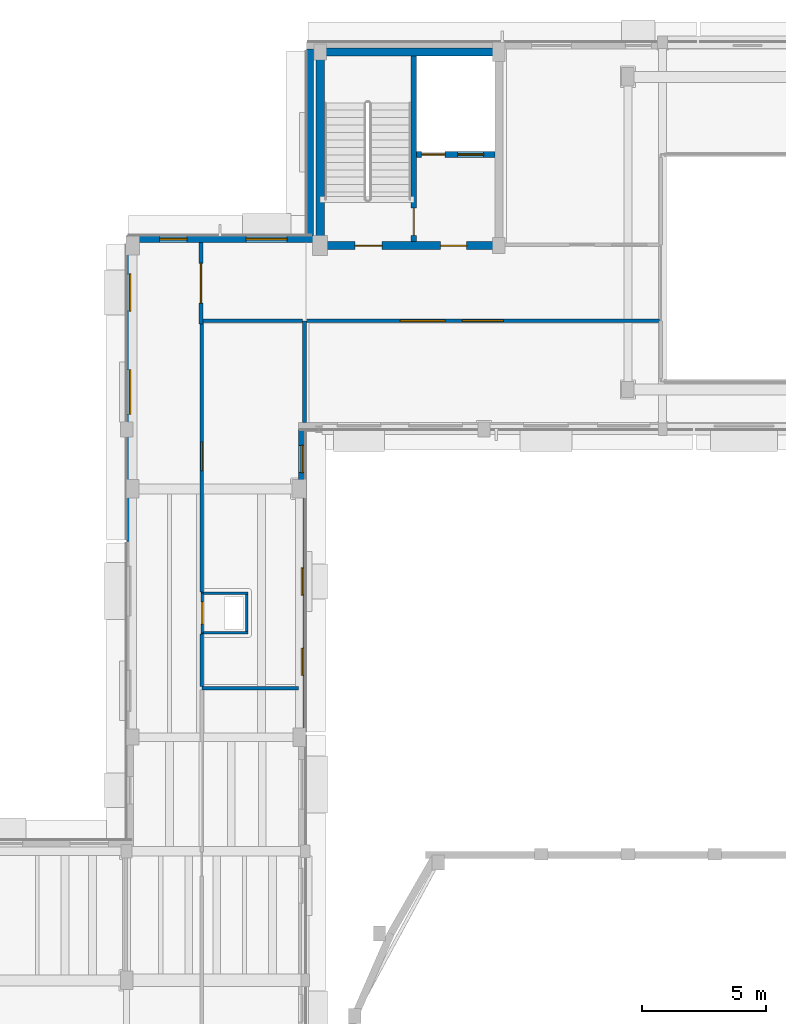
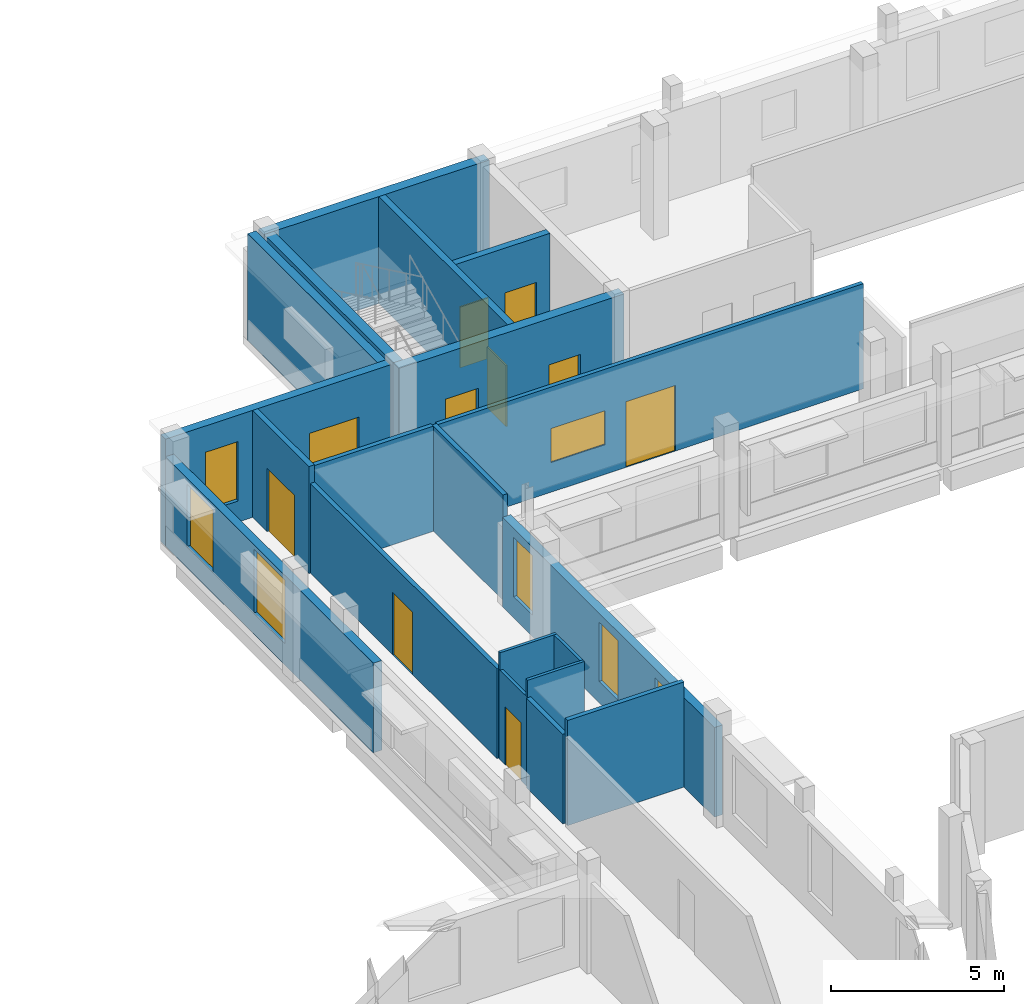
# One storey, part 73 of 89: 20 walls, 9 doors, 8 windows, 17 openings.
"""IFC4 building model written with IfcOpenShell, lengths in metres."""

from ifc_helpers import new_model, si_unit, direction, frame, frame_2d, origin, place, context, subcontext, project, spatial, rectangle, extrude, material, layer, layer_set, type_object, element, fill, save


model = new_model("IFC4")

# Units and contexts
model_context = context("Model", 3, precision=1e-05, world=origin(), true_north=direction((0.0, 1.0)))
body_context = subcontext(model_context, "Body", "Model", "MODEL_VIEW")
ifc_project = project(units=[si_unit("LENGTHUNIT", "METRE"), si_unit("AREAUNIT", "SQUARE_METRE"), si_unit("VOLUMEUNIT", "CUBIC_METRE"), si_unit("PLANEANGLEUNIT", "RADIAN"), si_unit("MASSUNIT", "GRAM", prefix="KILO")], contexts=[model_context])

# Site, building, storey
site_placement = place(None, origin())
site = spatial("IfcSite", under=ifc_project, at=site_placement, CompositionType="ELEMENT")
building_placement = place(site_placement, origin())
building = spatial("IfcBuilding", under=site, at=building_placement, Name="Kelanivale Promenade Academy", CompositionType="ELEMENT")
storey_placement = place(building_placement, frame((0.0, 0.0, 12.199951171875)))
storey = spatial("IfcBuildingStorey", under=building, at=storey_placement, Name="L03", CompositionType="ELEMENT", Elevation=12.199951171875)

# Wall, openings, doors
ifc_material_1 = material(Name="Concrete C40/50", Category="concrete")
ifc_layer_1 = layer(ifc_material_1, 0.330078125)
ifc_layer_set_1 = layer_set([ifc_layer_1], Name="Concrete C40/50")
wall_type_1 = type_object("IfcWallType", Name="CW-S1 Wall 330mm", PredefinedType="SHEAR", material=ifc_layer_set_1)
wall_1_placement = place(storey_placement, frame((123.235107421875, 103.800048828125, 0.0), z_axis=(0.0, 0.0, 1.0), x_axis=(1.0, 0.0, 0.0)))
wall_1 = element("IfcWall", 1, at=wall_1_placement, inside=storey, type_object=wall_type_1, Name="CORE-5 RC shear wall S L03", PredefinedType="SHEAR", context=body_context, shape_type="SweptSolid", body=[
    extrude(rectangle(XDim=7.52978515625, YDim=0.330078125, at=frame_2d((3.764892578125, 0.0))), origin(), (0.0, 0.0, 1.0), 3.780029296875),
])
opening_1_placement = place(wall_1_placement, frame((5.014892578125, 0.0, 0.0)))
opening_1 = element("IfcOpeningElement", 2, at=opening_1_placement, cuts=wall_1, Name="Opening FD-CORE-5-LB-L03", PredefinedType="OPENING", context=body_context, shape_type="SweptSolid", body=[
    extrude(rectangle(XDim=1.050048828125, YDim=2.14990234375, at=frame_2d((0.52490234375, 1.074951171875))), frame((0.0, 0.175048828125, 0.0), z_axis=(0.0, -1.0, 0.0), x_axis=(1.0, 0.0, 0.0)), (0.0, 0.0, 1.0), 0.35009765625),
])
opening_2_placement = place(wall_1_placement, frame((1.56494140625, 0.0, 0.0)))
opening_2 = element("IfcOpeningElement", 3, at=opening_2_placement, cuts=wall_1, Name="Opening FD-CORE-5-ST-L03", PredefinedType="OPENING", context=body_context, shape_type="SweptSolid", body=[
    extrude(rectangle(XDim=1.10009765625, YDim=2.14990234375, at=frame_2d((0.550048828125, 1.074951171875))), frame((0.0, 0.175048828125, 0.0), z_axis=(0.0, -1.0, 0.0), x_axis=(1.0, 0.0, 0.0)), (0.0, 0.0, 1.0), 0.35009765625),
])
ifc_material_2 = material(Name="Fire-rated steel-core teak veneer", Category="steel")
door_type_1 = type_object("IfcDoorType", Name="DT-F01 Door 1100x2150", OperationType="NOTDEFINED", PredefinedType="DOOR", material=ifc_material_2)
door_1_placement = place(opening_2_placement, frame((1.10009765625, 0.0, 0.0), z_axis=(0.0, 0.0, 1.0), x_axis=(-1.0, 0.0, 0.0)))
door_1 = element("IfcDoor", 4, at=door_1_placement, inside=storey, type_object=door_type_1, Name="CORE-5 protected stair fire door L03", OperationType="SINGLE_SWING_LEFT", OverallHeight=2.14990234375, OverallWidth=1.10009765625, PredefinedType="DOOR", context=body_context, shape_type="SweptSolid", body=[
    extrude(rectangle(XDim=1.10009765625, YDim=2.14990234375, at=frame_2d((0.550048828125, 1.074951171875))), frame((0.0, 0.02490234375, 0.0), z_axis=(0.0, -1.0, 0.0), x_axis=(1.0, 0.0, 0.0)), (0.0, 0.0, 1.0), 0.050048828125),
])
fill(opening_2, door_1)
door_type_2 = type_object("IfcDoorType", Name="DT-F03 Door 1050x2150", OperationType="NOTDEFINED", PredefinedType="DOOR", material=ifc_material_2)
door_2_placement = place(opening_1_placement, origin())
door_2 = element("IfcDoor", 5, at=door_2_placement, inside=storey, type_object=door_type_2, Name="CORE-5 corridor-to-lobby fire door L03", OperationType="SINGLE_SWING_RIGHT", OverallHeight=2.14990234375, OverallWidth=1.050048828125, PredefinedType="DOOR", context=body_context, shape_type="SweptSolid", body=[
    extrude(rectangle(XDim=1.050048828125, YDim=2.14990234375, at=frame_2d((0.52490234375, 1.074951171875))), frame((0.0, 0.02490234375, 0.0), z_axis=(0.0, -1.0, 0.0), x_axis=(1.0, 0.0, 0.0)), (0.0, 0.0, 1.0), 0.050048828125),
])
fill(opening_1, door_2)

# Walls
wall_2_placement = place(storey_placement, frame((123.235107421875, 111.60009765625, 0.0), z_axis=(0.0, 0.0, 1.0), x_axis=(1.0, 0.0, 0.0)))
element("IfcWall", 6, at=wall_2_placement, inside=storey, type_object=wall_type_1, Name="CORE-5 RC shear wall N L03", PredefinedType="SHEAR", context=body_context, shape_type="SweptSolid", body=[
    extrude(rectangle(XDim=7.52978515625, YDim=0.330078125, at=frame_2d((3.764892578125, 0.0))), origin(), (0.0, 0.0, 1.0), 3.780029296875),
])
wall_3_placement = place(storey_placement, frame((123.39990234375, 103.965087890625, 0.0), z_axis=(0.0, 0.0, 1.0), x_axis=(0.0, 1.0, 0.0)))
element("IfcWall", 7, at=wall_3_placement, inside=storey, type_object=wall_type_1, Name="CORE-5 RC shear wall W L03", PredefinedType="SHEAR", context=body_context, shape_type="SweptSolid", body=[
    extrude(rectangle(XDim=7.469970703125, YDim=0.330078125, at=frame_2d((3.73486328125, 0.0))), origin(), (0.0, 0.0, 1.0), 3.780029296875),
])

# Wall, openings, doors
ifc_layer_2 = layer(ifc_material_1, 0.22509765625)
ifc_layer_set_2 = layer_set([ifc_layer_2], Name="Concrete C40/50")
wall_type_2 = type_object("IfcWallType", Name="CW-S2 Wall 225mm", PredefinedType="SHEAR", material=ifc_layer_set_2)
wall_4_placement = place(storey_placement, frame((127.284912109375, 107.469970703125, 0.0), z_axis=(0.0, 0.0, 1.0), x_axis=(1.0, 0.0, 0.0)))
wall_4 = element("IfcWall", 8, at=wall_4_placement, inside=storey, type_object=wall_type_2, Name="CORE-5 lift shaft front RC wall L03", PredefinedType="SHEAR", context=body_context, shape_type="SweptSolid", body=[
    extrude(rectangle(XDim=3.150146484375, YDim=0.22509765625, at=frame_2d((1.5751953125, 0.0))), origin(), (0.0, 0.0, 1.0), 3.780029296875),
])
opening_3_placement = place(wall_4_placement, frame((0.199951171875, 0.0, 0.0)))
opening_3 = element("IfcOpeningElement", 9, at=opening_3_placement, cuts=wall_4, Name="Opening LD-LF-FF4-L03", PredefinedType="OPENING", context=body_context, shape_type="SweptSolid", body=[
    extrude(rectangle(XDim=0.949951171875, YDim=2.14990234375, at=frame_2d((0.47509765625, 1.074951171875))), frame((0.0, 0.12255859375, 0.0), z_axis=(0.0, -1.0, 0.0), x_axis=(1.0, 0.0, 0.0)), (0.0, 0.0, 1.0), 0.2451171875),
])
opening_4_placement = place(wall_4_placement, frame((1.64990234375, 0.0, 0.0)))
opening_4 = element("IfcOpeningElement", 10, at=opening_4_placement, cuts=wall_4, Name="Opening LD-LF-P3-L03", PredefinedType="OPENING", context=body_context, shape_type="SweptSolid", body=[
    extrude(rectangle(XDim=1.050048828125, YDim=2.199951171875, at=frame_2d((0.52490234375, 1.10009765625))), frame((0.0, 0.12255859375, 0.0), z_axis=(0.0, -1.0, 0.0), x_axis=(1.0, 0.0, 0.0)), (0.0, 0.0, 1.0), 0.2451171875),
])
door_type_3 = type_object("IfcDoorType", Name="LD-FF1 Door 950x2150", OperationType="NOTDEFINED", PredefinedType="DOOR", material=ifc_material_2)
door_3_placement = place(opening_3_placement, origin())
door_3 = element("IfcDoor", 11, at=door_3_placement, inside=storey, type_object=door_type_3, Name="Firefighting lift landing door LD-LF-FF4-L03", OperationType="SLIDING_TO_LEFT", OverallHeight=2.14990234375, OverallWidth=0.949951171875, PredefinedType="DOOR", context=body_context, shape_type="SweptSolid", body=[
    extrude(rectangle(XDim=0.949951171875, YDim=2.14990234375, at=frame_2d((0.47509765625, 1.074951171875))), frame((0.0, 0.02490234375, 0.0), z_axis=(0.0, -1.0, 0.0), x_axis=(1.0, 0.0, 0.0)), (0.0, 0.0, 1.0), 0.050048828125),
])
fill(opening_3, door_3)
door_type_4 = type_object("IfcDoorType", Name="LD-PL1 Door 1050x2200", OperationType="NOTDEFINED", PredefinedType="DOOR", material=ifc_material_2)
door_4_placement = place(opening_4_placement, origin())
door_4 = element("IfcDoor", 12, at=door_4_placement, inside=storey, type_object=door_type_4, Name="Passenger lift landing door LD-LF-P3-L03", OperationType="SLIDING_TO_RIGHT", OverallHeight=2.199951171875, OverallWidth=1.050048828125, PredefinedType="DOOR", context=body_context, shape_type="SweptSolid", body=[
    extrude(rectangle(XDim=1.050048828125, YDim=2.199951171875, at=frame_2d((0.52490234375, 1.10009765625))), frame((0.0, 0.02490234375, 0.0), z_axis=(0.0, -1.0, 0.0), x_axis=(1.0, 0.0, 0.0)), (0.0, 0.0, 1.0), 0.050048828125),
])
fill(opening_4, door_4)

# Wall, opening, door
ifc_layer_3 = layer(ifc_material_1, 0.219970703125)
ifc_layer_set_3 = layer_set([ifc_layer_3], Name="Concrete C40/50")
wall_type_3 = type_object("IfcWallType", Name="CW-S3 Wall 220mm", PredefinedType="SHEAR", material=ifc_layer_set_3)
wall_5_placement = place(storey_placement, frame((127.175048828125, 103.965087890625, 0.0), z_axis=(0.0, 0.0, 1.0), x_axis=(0.0, 1.0, 0.0)))
wall_5 = element("IfcWall", 13, at=wall_5_placement, inside=storey, type_object=wall_type_3, Name="CORE-5 stair-lobby dividing RC wall L03", PredefinedType="SHEAR", context=body_context, shape_type="SweptSolid", body=[
    extrude(rectangle(XDim=7.469970703125, YDim=0.219970703125, at=frame_2d((3.73486328125, 0.0))), origin(), (0.0, 0.0, 1.0), 3.780029296875),
])
opening_5_placement = place(wall_5_placement, frame((0.25, 0.0, 0.0)))
opening_5 = element("IfcOpeningElement", 14, at=opening_5_placement, cuts=wall_5, Name="Opening FD-CORE-5-SL-L03", PredefinedType="OPENING", context=body_context, shape_type="SweptSolid", body=[
    extrude(rectangle(XDim=1.10009765625, YDim=2.14990234375, at=frame_2d((0.550048828125, 1.074951171875))), frame((0.0, 0.1201171875, 0.0), z_axis=(0.0, -1.0, 0.0), x_axis=(1.0, 0.0, 0.0)), (0.0, 0.0, 1.0), 0.239990234375),
])
door_5_placement = place(opening_5_placement, origin())
door_5 = element("IfcDoor", 15, at=door_5_placement, inside=storey, type_object=door_type_1, Name="CORE-5 lobby-to-stair fire door L03", OperationType="SINGLE_SWING_LEFT", OverallHeight=2.14990234375, OverallWidth=1.10009765625, PredefinedType="DOOR", context=body_context, shape_type="SweptSolid", body=[
    extrude(rectangle(XDim=1.10009765625, YDim=2.14990234375, at=frame_2d((0.550048828125, 1.074951171875))), frame((0.0, 0.02490234375, 0.0), z_axis=(0.0, -1.0, 0.0), x_axis=(1.0, 0.0, 0.0)), (0.0, 0.0, 1.0), 0.050048828125),
])
fill(opening_5, door_5)

# Wall, openings, windows
ifc_material_3 = material(Name="Insulated ivory stucco masonry wall 280 mm", Category="masonry")
ifc_layer_4 = layer(ifc_material_3, 0.280029296875)
ifc_layer_set_4 = layer_set([ifc_layer_4], Name="Insulated ivory stucco masonry wall 280 mm")
wall_type_4 = type_object("IfcWallType", Name="EW-02 Wall 280mm", PredefinedType="SOLIDWALL", material=ifc_layer_set_4)
wall_6_placement = place(storey_placement, frame((122.659912109375, 84.139892578125, 0.0), z_axis=(0.0, 0.0, 1.0), x_axis=(0.0, 1.0, 0.0)))
wall_6 = element("IfcWall", 16, at=wall_6_placement, inside=storey, type_object=wall_type_4, Name="L03 exterior facade wall EW-L03-ORT-0474", PredefinedType="SOLIDWALL", context=body_context, shape_type="SweptSolid", body=[
    extrude(rectangle(XDim=12.260009765625, YDim=0.280029296875, at=frame_2d((6.1298828125, 0.0))), origin(), (0.0, 0.0, 1.0), 3.1650390625),
])
opening_6_placement = place(wall_6_placement, frame((2.343017578125, 0.0, 0.75)))
opening_6 = element("IfcOpeningElement", 17, at=opening_6_placement, cuts=wall_6, Name="Opening WT-17", PredefinedType="OPENING", context=body_context, shape_type="SweptSolid", body=[
    extrude(rectangle(XDim=1.10009765625, YDim=2.10009765625, at=frame_2d((0.550048828125, 1.050048828125))), frame((0.0, 0.14990234375, 0.0), z_axis=(0.0, -1.0, 0.0), x_axis=(1.0, 0.0, 0.0)), (0.0, 0.0, 1.0), 0.300048828125),
])
opening_7_placement = place(wall_6_placement, frame((5.580078125, 0.0, 0.75)))
opening_7 = element("IfcOpeningElement", 18, at=opening_7_placement, cuts=wall_6, Name="Opening WT-17", PredefinedType="OPENING", context=body_context, shape_type="SweptSolid", body=[
    extrude(rectangle(XDim=1.10009765625, YDim=2.10009765625, at=frame_2d((0.550048828125, 1.050048828125))), frame((0.0, 0.14990234375, 0.0), z_axis=(0.0, -1.0, 0.0), x_axis=(1.0, 0.0, 0.0)), (0.0, 0.0, 1.0), 0.300048828125),
])
opening_8_placement = place(wall_6_placement, frame((10.51708984375, 0.0, 0.75)))
opening_8 = element("IfcOpeningElement", 19, at=opening_8_placement, cuts=wall_6, Name="Opening WT-17", PredefinedType="OPENING", context=body_context, shape_type="SweptSolid", body=[
    extrude(rectangle(XDim=1.10009765625, YDim=2.10009765625, at=frame_2d((0.550048828125, 1.050048828125))), frame((0.0, 0.14990234375, 0.0), z_axis=(0.0, -1.0, 0.0), x_axis=(1.0, 0.0, 0.0)), (0.0, 0.0, 1.0), 0.300048828125),
])
ifc_material_4 = material(Name="Bronze anodised aluminium frame with low-E laminated glass", Category="aluminium")
window_type_1 = type_object("IfcWindowType", Name="WT-17 Window 1100x2100", PartitioningType="SINGLE_PANEL", PredefinedType="WINDOW", material=ifc_material_4)
window_1_placement = place(opening_6_placement, origin())
window_1 = element("IfcWindow", 20, at=window_1_placement, inside=storey, type_object=window_type_1, Name="Window WT-17", OverallHeight=2.10009765625, OverallWidth=1.10009765625, PartitioningType="SINGLE_PANEL", PredefinedType="WINDOW", context=body_context, shape_type="SweptSolid", body=[
    extrude(rectangle(XDim=1.10009765625, YDim=2.10009765625, at=frame_2d((0.550048828125, 1.050048828125))), frame((0.0, 0.030029296875, 0.0), z_axis=(0.0, -1.0, 0.0), x_axis=(1.0, 0.0, 0.0)), (0.0, 0.0, 1.0), 0.06005859375),
])
fill(opening_6, window_1)
window_2_placement = place(opening_7_placement, origin())
window_2 = element("IfcWindow", 21, at=window_2_placement, inside=storey, type_object=window_type_1, Name="Window WT-17", OverallHeight=2.10009765625, OverallWidth=1.10009765625, PartitioningType="SINGLE_PANEL", PredefinedType="WINDOW", context=body_context, shape_type="SweptSolid", body=[
    extrude(rectangle(XDim=1.10009765625, YDim=2.10009765625, at=frame_2d((0.550048828125, 1.050048828125))), frame((0.0, 0.030029296875, 0.0), z_axis=(0.0, -1.0, 0.0), x_axis=(1.0, 0.0, 0.0)), (0.0, 0.0, 1.0), 0.06005859375),
])
fill(opening_7, window_2)
window_3_placement = place(opening_8_placement, origin())
window_3 = element("IfcWindow", 22, at=window_3_placement, inside=storey, type_object=window_type_1, Name="Window WT-17", OverallHeight=2.10009765625, OverallWidth=1.10009765625, PartitioningType="SINGLE_PANEL", PredefinedType="WINDOW", context=body_context, shape_type="SweptSolid", body=[
    extrude(rectangle(XDim=1.10009765625, YDim=2.10009765625, at=frame_2d((0.550048828125, 1.050048828125))), frame((0.0, 0.030029296875, 0.0), z_axis=(0.0, -1.0, 0.0), x_axis=(1.0, 0.0, 0.0)), (0.0, 0.0, 1.0), 0.06005859375),
])
fill(opening_8, window_3)

# Wall
wall_7_placement = place(storey_placement, frame((122.989990234375, 111.719970703125, 0.0), z_axis=(0.0, 0.0, 1.0), x_axis=(0.0, -1.0, 0.0)))
element("IfcWall", 23, at=wall_7_placement, inside=storey, type_object=wall_type_4, Name="L03 exterior facade wall EW-L03-ORT-0482", PredefinedType="SOLIDWALL", context=body_context, shape_type="SweptSolid", body=[
    extrude(rectangle(XDim=7.52001953125, YDim=0.280029296875, at=frame_2d((3.760009765625, 0.0))), origin(), (0.0, 0.0, 1.0), 3.780029296875),
])

# Wall, openings, windows
wall_8_placement = place(storey_placement, frame((123.1298828125, 104.06005859375, 0.0), z_axis=(0.0, 0.0, 1.0), x_axis=(-1.0, 0.0, 0.0)))
wall_8 = element("IfcWall", 24, at=wall_8_placement, inside=storey, type_object=wall_type_4, Name="L03 exterior facade wall EW-L03-ORT-0483", PredefinedType="SOLIDWALL", context=body_context, shape_type="SweptSolid", body=[
    extrude(rectangle(XDim=7.52978515625, YDim=0.280029296875, at=frame_2d((3.764892578125, 0.0))), origin(), (0.0, 0.0, 1.0), 3.780029296875),
])
opening_9_placement = place(wall_8_placement, frame((1.05810546875, 0.0, 1.050048828125)))
opening_9 = element("IfcOpeningElement", 25, at=opening_9_placement, cuts=wall_8, Name="Opening WT-35", PredefinedType="OPENING", context=body_context, shape_type="SweptSolid", body=[
    extrude(rectangle(XDim=1.64990234375, YDim=1.25, at=frame_2d((0.824951171875, 0.625))), frame((0.0, 0.14990234375, 0.0), z_axis=(0.0, -1.0, 0.0), x_axis=(1.0, 0.0, 0.0)), (0.0, 0.0, 1.0), 0.300048828125),
])
opening_10_placement = place(wall_8_placement, frame((5.097900390625, 0.0, 0.75)))
opening_10 = element("IfcOpeningElement", 26, at=opening_10_placement, cuts=wall_8, Name="Opening WT-17", PredefinedType="OPENING", context=body_context, shape_type="SweptSolid", body=[
    extrude(rectangle(XDim=1.10009765625, YDim=2.10009765625, at=frame_2d((0.550048828125, 1.050048828125))), frame((0.0, 0.14990234375, 0.0), z_axis=(0.0, -1.0, 0.0), x_axis=(1.0, 0.0, 0.0)), (0.0, 0.0, 1.0), 0.300048828125),
])
window_4_placement = place(opening_10_placement, origin())
window_4 = element("IfcWindow", 27, at=window_4_placement, inside=storey, type_object=window_type_1, Name="Window WT-17", OverallHeight=2.10009765625, OverallWidth=1.10009765625, PartitioningType="SINGLE_PANEL", PredefinedType="WINDOW", context=body_context, shape_type="SweptSolid", body=[
    extrude(rectangle(XDim=1.10009765625, YDim=2.10009765625, at=frame_2d((0.550048828125, 1.050048828125))), frame((0.0, 0.030029296875, 0.0), z_axis=(0.0, -1.0, 0.0), x_axis=(1.0, 0.0, 0.0)), (0.0, 0.0, 1.0), 0.06005859375),
])
fill(opening_10, window_4)
window_type_2 = type_object("IfcWindowType", Name="WT-35 Window 1650x1250", PartitioningType="SINGLE_PANEL", PredefinedType="WINDOW", material=ifc_material_4)
window_5_placement = place(opening_9_placement, origin())
window_5 = element("IfcWindow", 28, at=window_5_placement, inside=storey, type_object=window_type_2, Name="Window WT-35", OverallHeight=1.25, OverallWidth=1.64990234375, PartitioningType="SINGLE_PANEL", PredefinedType="WINDOW", context=body_context, shape_type="SweptSolid", body=[
    extrude(rectangle(XDim=1.64990234375, YDim=1.25, at=frame_2d((0.824951171875, 0.625))), frame((0.0, 0.030029296875, 0.0), z_axis=(0.0, -1.0, 0.0), x_axis=(1.0, 0.0, 0.0)), (0.0, 0.0, 1.0), 0.06005859375),
])
fill(opening_9, window_5)

wall_9_placement = place(storey_placement, frame((115.739990234375, 103.919921875, 0.0), z_axis=(0.0, 0.0, 1.0), x_axis=(0.0, -1.0, 0.0)))
wall_9 = element("IfcWall", 29, at=wall_9_placement, inside=storey, type_object=wall_type_4, Name="L03 exterior facade wall EW-L03-ORT-0484", PredefinedType="SOLIDWALL", context=body_context, shape_type="SweptSolid", body=[
    extrude(rectangle(XDim=12.034912109375, YDim=0.280029296875, at=frame_2d((6.017578125, 0.0))), origin(), (0.0, 0.0, 1.0), 3.1650390625),
])
opening_11_placement = place(wall_9_placement, frame((1.256103515625, 0.0, 0.75)))
opening_11 = element("IfcOpeningElement", 30, at=opening_11_placement, cuts=wall_9, Name="Opening WT-11", PredefinedType="OPENING", context=body_context, shape_type="SweptSolid", body=[
    extrude(rectangle(XDim=1.5, YDim=2.199951171875, at=frame_2d((0.75, 1.10009765625))), frame((0.0, 0.14990234375, 0.0), z_axis=(0.0, -1.0, 0.0), x_axis=(1.0, 0.0, 0.0)), (0.0, 0.0, 1.0), 0.300048828125),
])
opening_12_placement = place(wall_9_placement, frame((5.116943359375, 0.0, 0.75)))
opening_12 = element("IfcOpeningElement", 31, at=opening_12_placement, cuts=wall_9, Name="Opening WT-12", PredefinedType="OPENING", context=body_context, shape_type="SweptSolid", body=[
    extrude(rectangle(XDim=1.800048828125, YDim=2.25, at=frame_2d((0.89990234375, 1.125))), frame((0.0, 0.14990234375, 0.0), z_axis=(0.0, -1.0, 0.0), x_axis=(1.0, 0.0, 0.0)), (0.0, 0.0, 1.0), 0.300048828125),
])
window_type_3 = type_object("IfcWindowType", Name="WT-11 Window 1500x2200", PartitioningType="SINGLE_PANEL", PredefinedType="WINDOW", material=ifc_material_4)
window_6_placement = place(opening_11_placement, origin())
window_6 = element("IfcWindow", 32, at=window_6_placement, inside=storey, type_object=window_type_3, Name="Window WT-11", OverallHeight=2.199951171875, OverallWidth=1.5, PartitioningType="SINGLE_PANEL", PredefinedType="WINDOW", context=body_context, shape_type="SweptSolid", body=[
    extrude(rectangle(XDim=1.5, YDim=2.199951171875, at=frame_2d((0.75, 1.10009765625))), frame((0.0, 0.030029296875, 0.0), z_axis=(0.0, -1.0, 0.0), x_axis=(1.0, 0.0, 0.0)), (0.0, 0.0, 1.0), 0.06005859375),
])
fill(opening_11, window_6)
window_type_4 = type_object("IfcWindowType", Name="WT-12 Window 1800x2250", PartitioningType="SINGLE_PANEL", PredefinedType="WINDOW", material=ifc_material_4)
window_7_placement = place(opening_12_placement, origin())
window_7 = element("IfcWindow", 33, at=window_7_placement, inside=storey, type_object=window_type_4, Name="Window WT-12", OverallHeight=2.25, OverallWidth=1.800048828125, PartitioningType="SINGLE_PANEL", PredefinedType="WINDOW", context=body_context, shape_type="SweptSolid", body=[
    extrude(rectangle(XDim=1.800048828125, YDim=2.25, at=frame_2d((0.89990234375, 1.125))), frame((0.0, 0.030029296875, 0.0), z_axis=(0.0, -1.0, 0.0), x_axis=(1.0, 0.0, 0.0)), (0.0, 0.0, 1.0), 0.06005859375),
])
fill(opening_12, window_7)

# Wall, opening, door
ifc_material_5 = material(Name="Autoclaved masonry blockwork 180 mm", Category="masonry")
ifc_layer_5 = layer(ifc_material_5, 0.179931640625)
ifc_layer_set_5 = layer_set([ifc_layer_5], Name="Autoclaved masonry blockwork 180 mm")
wall_type_5 = type_object("IfcWallType", Name="IW-02 Wall 180mm", PredefinedType="PARTITIONING", material=ifc_layer_set_5)
wall_10_placement = place(storey_placement, frame((118.60009765625, 100.64990234375, 0.0), z_axis=(0.0, 0.0, 1.0), x_axis=(0.0, 1.0, 0.0)))
wall_10 = element("IfcWall", 34, at=wall_10_placement, inside=storey, type_object=wall_type_5, Name="L03 cross-corridor fire wall", PredefinedType="PARTITIONING", context=body_context, shape_type="SweptSolid", body=[
    extrude(rectangle(XDim=3.272216796875, YDim=0.179931640625, at=frame_2d((1.63623046875, 0.0))), origin(), (0.0, 0.0, 1.0), 3.780029296875),
])
opening_13_placement = place(wall_10_placement, frame((0.8359375, 0.0, 0.0)))
opening_13 = element("IfcOpeningElement", 35, at=opening_13_placement, cuts=wall_10, Name="Opening FD-L03-CC-148", PredefinedType="OPENING", context=body_context, shape_type="SweptSolid", body=[
    extrude(rectangle(XDim=1.60009765625, YDim=2.25, at=frame_2d((0.800048828125, 1.125))), frame((0.0, 0.10009765625, 0.0), z_axis=(0.0, -1.0, 0.0), x_axis=(1.0, 0.0, 0.0)), (0.0, 0.0, 1.0), 0.199951171875),
])
door_type_5 = type_object("IfcDoorType", Name="DT-F09 Door 1600x2250", OperationType="NOTDEFINED", PredefinedType="DOOR", material=ifc_material_2)
door_6_placement = place(opening_13_placement, origin())
door_6 = element("IfcDoor", 36, at=door_6_placement, inside=storey, type_object=door_type_5, Name="L03 cross-corridor fire door FD-L03-CC-148", OperationType="DOUBLE_DOOR_SINGLE_SWING", OverallHeight=2.25, OverallWidth=1.60009765625, PredefinedType="DOOR", context=body_context, shape_type="SweptSolid", body=[
    extrude(rectangle(XDim=1.60009765625, YDim=2.25, at=frame_2d((0.800048828125, 1.125))), frame((0.0, 0.02490234375, 0.0), z_axis=(0.0, -1.0, 0.0), x_axis=(1.0, 0.0, 0.0)), (0.0, 0.0, 1.0), 0.050048828125),
])
fill(opening_13, door_6)

# Walls
ifc_material_6 = material(Name="Acoustic gypsum-lined masonry partition 150 mm", Category="masonry")
ifc_layer_6 = layer(ifc_material_6, 0.14990234375)
ifc_layer_set_6 = layer_set([ifc_layer_6], Name="Acoustic gypsum-lined masonry partition 150 mm")
wall_type_6 = type_object("IfcWallType", Name="IW-03 Wall 150mm", PredefinedType="PARTITIONING", material=ifc_layer_set_6)
wall_11_placement = place(storey_placement, frame((122.52197265625, 85.969970703125, 0.0), z_axis=(0.0, 0.0, 1.0), x_axis=(-1.0, 0.0, 0.0)))
element("IfcWall", 37, at=wall_11_placement, inside=storey, type_object=wall_type_6, Name="L03 partition Specimen Prep Room", PredefinedType="PARTITIONING", context=body_context, shape_type="SweptSolid", body=[
    extrude(rectangle(XDim=3.89208984375, YDim=0.14990234375, at=frame_2d((1.946044921875, 0.0))), origin(), (0.0, 0.0, 1.0), 3.715087890625),
])
wall_12_placement = place(storey_placement, frame((122.77001953125, 96.677978515625, 0.0), z_axis=(0.0, 0.0, 1.0), x_axis=(0.0, 1.0, 0.0)))
element("IfcWall", 38, at=wall_12_placement, inside=storey, type_object=wall_type_6, Name="L03 partition Laboratory Instrument Studio", PredefinedType="PARTITIONING", context=body_context, shape_type="SweptSolid", body=[
    extrude(rectangle(XDim=4.092041015625, YDim=0.14990234375, at=frame_2d((2.0458984375, 0.0))), origin(), (0.0, 0.0, 1.0), 3.715087890625),
])
wall_13_placement = place(storey_placement, frame((122.697021484375, 100.77001953125, 0.0), z_axis=(0.0, 0.0, 1.0), x_axis=(-1.0, 0.0, 0.0)))
element("IfcWall", 39, at=wall_13_placement, inside=storey, type_object=wall_type_6, Name="L03 partition Laboratory Instrument Studio", PredefinedType="PARTITIONING", context=body_context, shape_type="SweptSolid", body=[
    extrude(rectangle(XDim=4.009033203125, YDim=0.14990234375, at=frame_2d((2.00439453125, 0.0))), origin(), (0.0, 0.0, 1.0), 3.715087890625),
])

# Wall, opening, door
wall_14_placement = place(storey_placement, frame((118.6298828125, 100.77001953125, 0.0), z_axis=(0.0, 0.0, 1.0), x_axis=(0.0, -1.0, 0.0)))
wall_14 = element("IfcWall", 40, at=wall_14_placement, inside=storey, type_object=wall_type_6, Name="L03 partition Laboratory Instrument Studio", PredefinedType="PARTITIONING", context=body_context, shape_type="SweptSolid", body=[
    extrude(rectangle(XDim=10.922119140625, YDim=0.14990234375, at=frame_2d((5.4609375, 0.0))), origin(), (0.0, 0.0, 1.0), 3.1650390625),
])
opening_14_placement = place(wall_14_placement, frame((4.885986328125, 0.0, 0.0)))
opening_14 = element("IfcOpeningElement", 41, at=opening_14_placement, cuts=wall_14, Name="Opening ID-L03-170", PredefinedType="OPENING", context=body_context, shape_type="SweptSolid", body=[
    extrude(rectangle(XDim=1.14990234375, YDim=2.199951171875, at=frame_2d((0.574951171875, 1.10009765625))), frame((0.0, 0.0849609375, 0.0), z_axis=(0.0, -1.0, 0.0), x_axis=(1.0, 0.0, 0.0)), (0.0, 0.0, 1.0), 0.169921875),
])
door_type_6 = type_object("IfcDoorType", Name="DT-F06 Door 1150x2200", OperationType="NOTDEFINED", PredefinedType="DOOR", material=ifc_material_2)
door_7_placement = place(opening_14_placement, origin())
door_7 = element("IfcDoor", 42, at=door_7_placement, inside=storey, type_object=door_type_6, Name="Laboratory Instrument Studio door ID-L03-170", OperationType="SINGLE_SWING_RIGHT", OverallHeight=2.199951171875, OverallWidth=1.14990234375, PredefinedType="DOOR", context=body_context, shape_type="SweptSolid", body=[
    extrude(rectangle(XDim=1.14990234375, YDim=2.199951171875, at=frame_2d((0.574951171875, 1.10009765625))), frame((0.0, 0.02490234375, 0.0), z_axis=(0.0, -1.0, 0.0), x_axis=(1.0, 0.0, 0.0)), (0.0, 0.0, 1.0), 0.050048828125),
])
fill(opening_14, door_7)

# Wall
wall_15_placement = place(storey_placement, frame((118.6298828125, 88.152099609375, 0.0), z_axis=(0.0, 0.0, 1.0), x_axis=(0.0, -1.0, 0.0)))
element("IfcWall", 43, at=wall_15_placement, inside=storey, type_object=wall_type_6, Name="L03 partition Laboratory Instrument Studio", PredefinedType="PARTITIONING", context=body_context, shape_type="SweptSolid", body=[
    extrude(rectangle(XDim=2.109130859375, YDim=0.14990234375, at=frame_2d((1.0546875, 0.0))), origin(), (0.0, 0.0, 1.0), 3.1650390625),
])

# Wall, openings, door, window
ifc_material_7 = material(Name="Acoustic double-stud gypsum board partition 140 mm", Category="masonry")
ifc_layer_7 = layer(ifc_material_7, 0.139892578125)
ifc_layer_set_7 = layer_set([ifc_layer_7], Name="Acoustic double-stud gypsum board partition 140 mm")
wall_type_7 = type_object("IfcWallType", Name="IW-04 Wall 140mm", PredefinedType="PARTITIONING", material=ifc_layer_set_7)
wall_16_placement = place(storey_placement, frame((137.06201171875, 100.77001953125, 0.0), z_axis=(0.0, 0.0, 1.0), x_axis=(-1.0, 0.0, 0.0)))
wall_16 = element("IfcWall", 44, at=wall_16_placement, inside=storey, type_object=wall_type_7, Name="L03 partition Upper Library Book Stacks", PredefinedType="PARTITIONING", context=body_context, shape_type="SweptSolid", body=[
    extrude(rectangle(XDim=14.218994140625, YDim=0.139892578125, at=frame_2d((7.109375, 0.0))), origin(), (0.0, 0.0, 1.0), 3.715087890625),
])
opening_15_placement = place(wall_16_placement, frame((6.284912109375, 0.0, 0.0)))
opening_15 = element("IfcOpeningElement", 45, at=opening_15_placement, cuts=wall_16, Name="Opening ID-L03-171", PredefinedType="OPENING", context=body_context, shape_type="SweptSolid", body=[
    extrude(rectangle(XDim=1.64990234375, YDim=2.320068359375, at=frame_2d((0.824951171875, 1.16015625))), frame((0.0, 0.080078125, 0.0), z_axis=(0.0, -1.0, 0.0), x_axis=(1.0, 0.0, 0.0)), (0.0, 0.0, 1.0), 0.159912109375),
])
opening_16_placement = place(wall_16_placement, frame((8.635009765625, 0.0, 1.050048828125)))
opening_16 = element("IfcOpeningElement", 46, at=opening_16_placement, cuts=wall_16, Name="Opening WT-I02", PredefinedType="OPENING", context=body_context, shape_type="SweptSolid", body=[
    extrude(rectangle(XDim=1.800048828125, YDim=1.199951171875, at=frame_2d((0.89990234375, 0.60009765625))), frame((0.0, 0.080078125, 0.0), z_axis=(0.0, -1.0, 0.0), x_axis=(1.0, 0.0, 0.0)), (0.0, 0.0, 1.0), 0.159912109375),
])
ifc_material_8 = material(Name="Solid-core tropical teak timber", Category="wood")
door_type_7 = type_object("IfcDoorType", Name="DT-I21 Door 1650x2320", OperationType="NOTDEFINED", PredefinedType="DOOR", material=ifc_material_8)
door_8_placement = place(opening_15_placement, origin())
door_8 = element("IfcDoor", 47, at=door_8_placement, inside=storey, type_object=door_type_7, Name="Upper Library Book Stacks door ID-L03-171", OperationType="DOUBLE_DOOR_SINGLE_SWING", OverallHeight=2.320068359375, OverallWidth=1.64990234375, PredefinedType="DOOR", context=body_context, shape_type="SweptSolid", body=[
    extrude(rectangle(XDim=1.64990234375, YDim=2.320068359375, at=frame_2d((0.824951171875, 1.16015625))), frame((0.0, 0.02490234375, 0.0), z_axis=(0.0, -1.0, 0.0), x_axis=(1.0, 0.0, 0.0)), (0.0, 0.0, 1.0), 0.050048828125),
])
fill(opening_15, door_8)
window_type_5 = type_object("IfcWindowType", Name="WT-I02 Window 1800x1200", PartitioningType="SINGLE_PANEL", PredefinedType="WINDOW", material=ifc_material_4)
window_8_placement = place(opening_16_placement, origin())
window_8 = element("IfcWindow", 48, at=window_8_placement, inside=storey, type_object=window_type_5, Name="Interior observation window WT-I02", OverallHeight=1.199951171875, OverallWidth=1.800048828125, PartitioningType="SINGLE_PANEL", PredefinedType="WINDOW", context=body_context, shape_type="SweptSolid", body=[
    extrude(rectangle(XDim=1.800048828125, YDim=1.199951171875, at=frame_2d((0.89990234375, 0.60009765625))), frame((0.0, 0.030029296875, 0.0), z_axis=(0.0, -1.0, 0.0), x_axis=(1.0, 0.0, 0.0)), (0.0, 0.0, 1.0), 0.06005859375),
])
fill(opening_16, window_8)

# Wall, opening, door
ifc_material_9 = material(Name="Fire-rated service riser shaft wall 100 mm", Category="masonry")
ifc_layer_8 = layer(ifc_material_9, 0.10009765625)
ifc_layer_set_8 = layer_set([ifc_layer_8], Name="Fire-rated service riser shaft wall 100 mm")
wall_type_8 = type_object("IfcWallType", Name="IW-07 Wall 100mm", PredefinedType="PARTITIONING", material=ifc_layer_set_8)
wall_17_placement = place(storey_placement, frame((118.64990234375, 88.199951171875, 0.0), z_axis=(0.0, 0.0, 1.0), x_axis=(0.0, 1.0, 0.0)))
wall_17 = element("IfcWall", 49, at=wall_17_placement, inside=storey, type_object=wall_type_8, Name="L03 service riser west access wall", PredefinedType="PARTITIONING", context=body_context, shape_type="SweptSolid", body=[
    extrude(rectangle(XDim=1.60009765625, YDim=0.10009765625, at=frame_2d((0.800048828125, 0.0))), origin(), (0.0, 0.0, 1.0), 3.1650390625),
])
opening_17_placement = place(wall_17_placement, frame((0.35009765625, 0.0, 0.0)))
opening_17 = element("IfcOpeningElement", 50, at=opening_17_placement, cuts=wall_17, Name="Opening RD-L03-01", PredefinedType="OPENING", context=body_context, shape_type="SweptSolid", body=[
    extrude(rectangle(XDim=0.89990234375, YDim=2.050048828125, at=frame_2d((0.449951171875, 1.02490234375))), frame((0.0, 0.06005859375, 0.0), z_axis=(0.0, -1.0, 0.0), x_axis=(1.0, 0.0, 0.0)), (0.0, 0.0, 1.0), 0.1201171875),
])
door_type_8 = type_object("IfcDoorType", Name="DT-F11 Door 900x2050", OperationType="NOTDEFINED", PredefinedType="USERDEFINED", material=ifc_material_2)
door_9_placement = place(opening_17_placement, frame((0.89990234375, 0.0, 0.0), z_axis=(0.0, 0.0, 1.0), x_axis=(-1.0, 0.0, 0.0)))
door_9 = element("IfcDoor", 51, at=door_9_placement, inside=storey, type_object=door_type_8, Name="L03 service riser fire access panel RD-L03-01", ObjectType="ACCESS PANEL", OperationType="SINGLE_SWING_LEFT", OverallHeight=2.050048828125, OverallWidth=0.89990234375, PredefinedType="USERDEFINED", context=body_context, shape_type="SweptSolid", body=[
    extrude(rectangle(XDim=0.89990234375, YDim=2.050048828125, at=frame_2d((0.449951171875, 1.02490234375))), frame((0.0, 0.02490234375, 0.0), z_axis=(0.0, -1.0, 0.0), x_axis=(1.0, 0.0, 0.0)), (0.0, 0.0, 1.0), 0.050048828125),
])
fill(opening_17, door_9)

# Walls
for number, where, z_axis, x_axis, name in (
    (52, (118.60009765625, 88.199951171875, 0.0), (0.0, 0.0, 1.0), (1.0, 0.0, 0.0), "L03 service riser south enclosure wall"),
    (53, (118.60009765625, 89.800048828125, 0.0), (0.0, 0.0, 1.0), (1.0, 0.0, 0.0), "L03 service riser north enclosure wall"),
):
    element("IfcWall", number, at=place(storey_placement, frame(where, z_axis=z_axis, x_axis=x_axis)), inside=storey, type_object=wall_type_8, Name=name, PredefinedType="PARTITIONING", context=body_context, shape_type="SweptSolid", body=[
        extrude(rectangle(XDim=1.89990234375, YDim=0.10009765625, at=frame_2d((0.949951171875, 0.0))), origin(), (0.0, 0.0, 1.0), 3.780029296875),
    ])
wall_18_placement = place(storey_placement, frame((120.449951171875, 88.25, 0.0), z_axis=(0.0, 0.0, 1.0), x_axis=(0.0, 1.0, 0.0)))
element("IfcWall", 54, at=wall_18_placement, inside=storey, type_object=wall_type_8, Name="L03 service riser east enclosure wall", PredefinedType="PARTITIONING", context=body_context, shape_type="SweptSolid", body=[
    extrude(rectangle(XDim=1.5, YDim=0.10009765625, at=frame_2d((0.75, 0.0))), origin(), (0.0, 0.0, 1.0), 3.780029296875),
])

save(model, "model.ifc")
